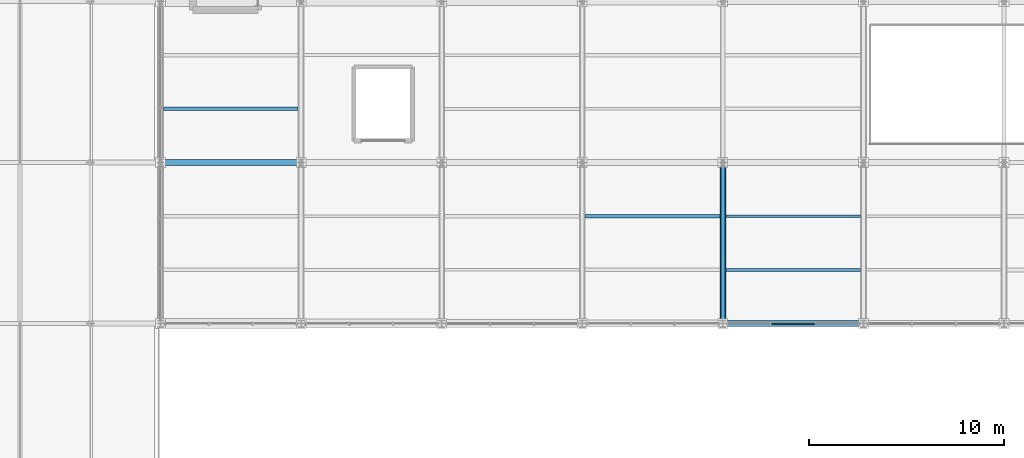
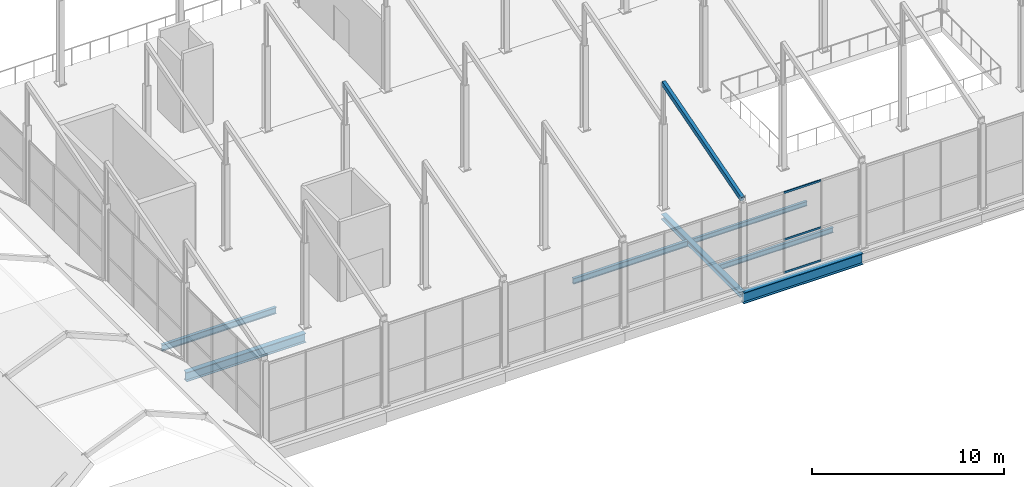
# One storey, part 26 of 141: 7 beams, 4 members, 1 element without a shape of its own.
"""IFC4 building model written with IfcOpenShell, lengths in metres."""

import ifcopenshell
import ifcopenshell.guid

model = None  # the IFC model being written
_history = None  # IfcOwnerHistory: only IFC2X3 demands one
_inside = {}  # id of a spatial element -> (the spatial element, [elements in it])
_under = {}  # id of a project, library or spatial element -> (it, [spatial elements below it])
_declared = {}  # id of a project -> (the project, [libraries it declares])
_typed = {}  # id of a type object -> (the type object, [elements of that type])
_made_of = {}  # id of a material, layer set ... -> (it, [elements and type objects made of it])


def new_model(schema):
    """Start an empty IFC model of exactly this schema.

    Asked for "IFC4X3", IfcOpenShell would pick the latest addendum, in which some entities
    have other attributes; the version numbers below select the first issue.
    IFC2X3 requires an IfcOwnerHistory on every rooted entity: one is made here for all.
    """
    global model, _history
    if schema == "IFC4X3":
        model = ifcopenshell.file(schema_version=(4, 3, 0, 0))
    else:
        model = ifcopenshell.file(schema=schema)
    _inside.clear()
    _under.clear()
    _declared.clear()
    _typed.clear()
    _made_of.clear()
    _history = None
    if model.schema == "IFC2X3":
        org = make("IfcOrganization", Name="unknown")
        user = make(
            "IfcPersonAndOrganization",
            ThePerson=make("IfcPerson", FamilyName="unknown"),
            TheOrganization=org,
        )
        app = make(
            "IfcApplication",
            ApplicationDeveloper=org,
            Version="unknown",
            ApplicationFullName="unknown",
            ApplicationIdentifier="unknown",
        )
        _history = make(
            "IfcOwnerHistory",
            OwningUser=user,
            OwningApplication=app,
            ChangeAction="ADDED",
            CreationDate=0,
        )
    return model


def make(cls, **values):
    """One entity of the class cls with the attributes given. An attribute that is None is left unset."""
    return model.create_entity(
        cls, **{name: value for name, value in values.items() if value is not None}
    )


def rooted(cls, **values):
    """An entity with a GlobalId (a new one), such as an element, a storey or a relation."""
    return make(cls, GlobalId=ifcopenshell.guid.new(), OwnerHistory=_history, **values)


def si_unit(unit_type, name, prefix=None):
    """IfcSIUnit, for example si_unit("LENGTHUNIT", "METRE", prefix="MILLI")."""
    return make("IfcSIUnit", UnitType=unit_type, Prefix=prefix, Name=name)


def assignment(units):
    """IfcUnitAssignment: the units of a project."""
    return None if units is None else make("IfcUnitAssignment", Units=units)


def point(xyz):
    """IfcCartesianPoint."""
    return None if xyz is None else make("IfcCartesianPoint", Coordinates=xyz)


def direction(xyz):
    """IfcDirection."""
    return None if xyz is None else make("IfcDirection", DirectionRatios=xyz)


def frame(location, z_axis=None, x_axis=None):
    """IfcAxis2Placement3D, a coordinate frame: its origin and axes. An axis left out is left unset."""
    return make(
        "IfcAxis2Placement3D",
        Location=point(location),
        Axis=direction(z_axis),
        RefDirection=direction(x_axis),
    )


def frame_2d(location, x_axis=None):
    """IfcAxis2Placement2D, a coordinate frame in the plane: its origin and x axis."""
    return make(
        "IfcAxis2Placement2D", Location=point(location), RefDirection=direction(x_axis)
    )


def origin():
    """The frame at (0, 0, 0) with its axes left unset."""
    return frame((0.0, 0.0, 0.0))


def origin_2d():
    """The frame at (0, 0) in the plane with its x axis left unset."""
    return frame_2d((0.0, 0.0))


def place(relative_to, where):
    """IfcLocalPlacement: puts the frame where relative to a parent placement (None: the world)."""
    return make(
        "IfcLocalPlacement", PlacementRelTo=relative_to, RelativePlacement=where
    )


def context(
    kind, dimensions, precision=None, world=None, true_north=None, identifier=None
):
    """IfcGeometricRepresentationContext, for example the 3D "Model" context."""
    return make(
        "IfcGeometricRepresentationContext",
        ContextIdentifier=identifier,
        ContextType=kind,
        CoordinateSpaceDimension=dimensions,
        Precision=precision,
        WorldCoordinateSystem=world,
        TrueNorth=true_north,
    )


def subcontext(parent, identifier, kind, view, scale=None):
    """IfcGeometricRepresentationSubContext, for example "Body" below "Model"."""
    return make(
        "IfcGeometricRepresentationSubContext",
        ContextIdentifier=identifier,
        ContextType=kind,
        ParentContext=parent,
        TargetScale=scale,
        TargetView=view,
    )


def project(units=None, contexts=None):
    """IfcProject with its units and contexts."""
    return rooted(
        "IfcProject",
        Name="project",
        RepresentationContexts=contexts,
        UnitsInContext=assignment(units),
    )


def spatial(cls, under=None, at=None, **own):
    """A site, building, storey or space (cls), placed at a placement, below another one or the project."""
    s = rooted(cls, ObjectPlacement=at, **own)
    if under is not None:
        _under.setdefault(under.id(), (under, []))[1].append(s)
    return s


def profile(cls, at=None, kind="AREA", **sizes):
    """A parametric profile (cls). Its sizes go by their IFC names, for example OverallWidth=200.0."""
    return make(cls, ProfileType=kind, Position=at, **sizes)


def hollow_rectangle(**sizes):
    """IfcRectangleHollowProfileDef."""
    return profile("IfcRectangleHollowProfileDef", **sizes)


def i_section(**sizes):
    """IfcIShapeProfileDef."""
    return profile("IfcIShapeProfileDef", **sizes)


def extrude(swept, where, along, depth):
    """IfcExtrudedAreaSolid: the profile swept, set in the frame where, extruded along a direction by depth."""
    return make(
        "IfcExtrudedAreaSolid",
        SweptArea=swept,
        Position=where,
        ExtrudedDirection=direction(along),
        Depth=depth,
    )


def shape(context_of_items, identifier, shape_type, items):
    """IfcShapeRepresentation: the items that make up one representation, for example the "Body"."""
    return make(
        "IfcShapeRepresentation",
        ContextOfItems=context_of_items,
        RepresentationIdentifier=identifier,
        RepresentationType=shape_type,
        Items=items,
    )


def material(Name=None, Category=None):
    """IfcMaterial."""
    return make("IfcMaterial", Name=Name, Category=Category)


def layer(
    of_material, thickness, ventilated=None, Name=None, Category=None, Priority=None
):
    """IfcMaterialLayer: one layer of a wall or slab, of a material (None: an air gap)."""
    return make(
        "IfcMaterialLayer",
        Material=of_material,
        LayerThickness=thickness,
        IsVentilated=ventilated,
        Name=Name,
        Category=Category,
        Priority=Priority,
    )


def layer_set(layers, Name=None):
    """IfcMaterialLayerSet."""
    return make("IfcMaterialLayerSet", MaterialLayers=layers, LayerSetName=Name)


def material_profile(
    of_material, cross_section, Name=None, Category=None, Priority=None
):
    """IfcMaterialProfile: a cross section and its material."""
    return make(
        "IfcMaterialProfile",
        Name=Name,
        Material=of_material,
        Profile=cross_section,
        Priority=Priority,
        Category=Category,
    )


def profile_set(profiles, Name=None, composite=None):
    """IfcMaterialProfileSet."""
    return make(
        "IfcMaterialProfileSet",
        Name=Name,
        MaterialProfiles=profiles,
        CompositeProfile=composite,
    )


def made_of(thing, what):
    """Note that an element or type object is made of a material, layer set ...; save() writes the relation."""
    if what is not None:
        _made_of.setdefault(what.id(), (what, []))[1].append(thing)
    return thing


def type_object(cls, material=None, **own):
    """A type object (cls), such as IfcWallType, which elements share."""
    return made_of(rooted(cls, **own), material)


def element(
    cls,
    number,
    at=None,
    inside=None,
    cuts=None,
    type_object=None,
    material=None,
    context=None,
    identifier="Body",
    shape_type=None,
    held_by="IfcProductDefinitionShape",
    body=None,
    shapes=None,
    **own,
):
    """One element of the class cls, such as IfcWall. Its Tag is "e" and its number.

    at: its placement. inside: the storey or other place that contains it. cuts: it is an
    opening in that element (IfcRelVoidsElement). A single representation is given by context,
    identifier, shape_type and body (its items); several are given by shapes. held_by: the class
    of the entity that holds the representations. save() writes the other relations.
    """
    e = rooted(cls, Tag="e%d" % number, ObjectPlacement=at, **own)
    if body is not None:
        shapes = [shape(context, identifier, shape_type, body)]
    if shapes is not None:
        e.Representation = make(held_by, Representations=shapes)
    if inside is not None:
        _inside.setdefault(inside.id(), (inside, []))[1].append(e)
    if cuts is not None:
        rooted(
            "IfcRelVoidsElement", RelatingBuildingElement=cuts, RelatedOpeningElement=e
        )
    if type_object is not None:
        _typed.setdefault(type_object.id(), (type_object, []))[1].append(e)
    return made_of(e, material)


def aggregate(whole, parts):
    """IfcRelAggregates: a whole, such as a stair, and the parts it consists of."""
    return rooted("IfcRelAggregates", RelatingObject=whole, RelatedObjects=parts)


def save(model, path):
    """Write the relations noted so far, then the file.

    IfcRelAggregates (storeys below a building ...), IfcRelContainedInSpatialStructure (elements
    in a storey), IfcRelDefinesByType, IfcRelAssociatesMaterial and IfcRelDeclares: one each for
    every whole, place, type object, material and project.
    """
    for whole, parts in _under.values():
        aggregate(whole, parts)
    for where, things in _inside.values():
        rooted(
            "IfcRelContainedInSpatialStructure",
            RelatedElements=things,
            RelatingStructure=where,
        )
    for kind, things in _typed.values():
        rooted("IfcRelDefinesByType", RelatedObjects=things, RelatingType=kind)
    for what, things in _made_of.values():
        rooted("IfcRelAssociatesMaterial", RelatedObjects=things, RelatingMaterial=what)
    for by, libraries in _declared.values():
        rooted("IfcRelDeclares", RelatingContext=by, RelatedDefinitions=libraries)
    model.write(path)


model = new_model("IFC4")

# Units and contexts
model_context = context("Model", 3, precision=1e-05, world=origin(), true_north=direction((0.0, 1.0)))
body_context = subcontext(model_context, "Body", "Model", "MODEL_VIEW")
ifc_project = project(units=[si_unit("LENGTHUNIT", "METRE"), si_unit("AREAUNIT", "SQUARE_METRE"), si_unit("VOLUMEUNIT", "CUBIC_METRE"), si_unit("PLANEANGLEUNIT", "RADIAN"), si_unit("MASSUNIT", "GRAM", prefix="KILO")], contexts=[model_context])

# Site, building, storey
site_placement = place(None, origin())
site = spatial("IfcSite", under=ifc_project, at=site_placement, CompositionType="ELEMENT")
building_placement = place(site_placement, origin())
building = spatial("IfcBuilding", under=site, at=building_placement, Name="Sundgate Opera House", CompositionType="ELEMENT")
storey_placement = place(building_placement, frame((0.0, 0.0, 11.39990234375)))
storey = spatial("IfcBuildingStorey", under=building, at=storey_placement, Name="L02", CompositionType="ELEMENT", Elevation=11.39990234375)

# Beams
ifc_material_1 = material(Name="Steel S355J2", Category="steel")
ifc_material_profile_1 = material_profile(ifc_material_1, i_section(OverallWidth=0.300048828125, OverallDepth=0.330078125, WebThickness=0.009521484375, FlangeThickness=0.0166015625, at=origin_2d()), Name="HEA 340")
ifc_profile_set_1 = profile_set([ifc_material_profile_1], Name="Steel S355J2")
beam_type_1 = type_object("IfcBeamType", Name="BM-GR-HEA340", PredefinedType="BEAM", material=ifc_profile_set_1)
beam_1_placement = place(storey_placement, frame((124.199951171875, 8.25, -0.514892578125), z_axis=(0.0, 1.0, 0.0), x_axis=(-1.0, 0.0, 0.0)))
element("IfcBeam", 1, at=beam_1_placement, inside=storey, type_object=beam_type_1, Name="L02 Primary N-S Girder B1892", PredefinedType="BEAM", context=body_context, shape_type="SweptSolid", body=[
    extrude(i_section(OverallWidth=0.300048828125, OverallDepth=0.330078125, WebThickness=0.009521484375, FlangeThickness=0.0166015625, at=origin_2d()), origin(), (0.0, 0.0, 1.0), 8.25),
])
ifc_material_2 = material(Name="Steel S355J2", Category="steel")
ifc_material_profile_2 = material_profile(ifc_material_2, i_section(OverallWidth=0.300048828125, OverallDepth=0.590087890625, WebThickness=0.012939453125, FlangeThickness=0.02490234375, at=origin_2d()), Name="HEA 600")
ifc_profile_set_2 = profile_set([ifc_material_profile_2], Name="Steel S355J2")
beam_type_2 = type_object("IfcBeamType", Name="BM-GR-HEA600", PredefinedType="BEAM", material=ifc_profile_set_2)
beam_2_placement = place(storey_placement, frame((95.39990234375, 16.5, -0.64501953125), z_axis=(1.0, 0.0, 0.0), x_axis=(0.0, 1.0, 0.0)))
element("IfcBeam", 2, at=beam_2_placement, inside=storey, type_object=beam_type_2, Name="L02 Primary E-W Girder B1975", PredefinedType="BEAM", context=body_context, shape_type="SweptSolid", body=[
    extrude(i_section(OverallWidth=0.300048828125, OverallDepth=0.590087890625, WebThickness=0.012939453125, FlangeThickness=0.02490234375, at=origin_2d()), origin(), (0.0, 0.0, 1.0), 7.2001953125),
])
ifc_material_3 = material(Name="Steel S355J2", Category="steel")
ifc_material_profile_3 = material_profile(ifc_material_3, i_section(OverallWidth=0.300048828125, OverallDepth=0.699951171875, WebThickness=0.01708984375, FlangeThickness=0.031982421875, at=origin_2d()), Name="HEB 700")
ifc_profile_set_3 = profile_set([ifc_material_profile_3], Name="Steel S355J2")
beam_type_3 = type_object("IfcBeamType", Name="BM-GR-HEB700", PredefinedType="BEAM", material=ifc_profile_set_3)
beam_3_placement = place(storey_placement, frame((124.199951171875, 8.25, -0.699951171875), z_axis=(1.0, 0.0, 0.0), x_axis=(0.0, 1.0, 0.0)))
element("IfcBeam", 3, at=beam_3_placement, inside=storey, type_object=beam_type_3, Name="L02 Primary E-W Girder B1967", PredefinedType="BEAM", context=body_context, shape_type="SweptSolid", body=[
    extrude(i_section(OverallWidth=0.300048828125, OverallDepth=0.699951171875, WebThickness=0.01708984375, FlangeThickness=0.031982421875, at=origin_2d()), origin(), (0.0, 0.0, 1.0), 7.199951171875),
])
ifc_material_4 = material(Name="Steel S355J2", Category="steel")
ifc_material_profile_4 = material_profile(ifc_material_4, i_section(OverallWidth=0.14990234375, OverallDepth=0.300048828125, WebThickness=0.007080078125, FlangeThickness=0.0107421875, at=origin_2d()), Name="IPE 300")
ifc_profile_set_4 = profile_set([ifc_material_profile_4], Name="Steel S355J2")
beam_type_4 = type_object("IfcBeamType", Name="BM-JS-IPE300", PredefinedType="JOIST", material=ifc_profile_set_4)
beam_4_placement = place(storey_placement, frame((124.35009765625, 13.75, -0.5), z_axis=(1.0, 0.0, 0.0), x_axis=(0.0, 1.0, 0.0)))
element("IfcBeam", 4, at=beam_4_placement, inside=storey, type_object=beam_type_4, Name="L02 Secondary Floor Joist B2154", PredefinedType="JOIST", context=body_context, shape_type="SweptSolid", body=[
    extrude(i_section(OverallWidth=0.14990234375, OverallDepth=0.300048828125, WebThickness=0.007080078125, FlangeThickness=0.0107421875, at=origin_2d()), origin(), (0.0, 0.0, 1.0), 6.89990234375),
])
ifc_material_5 = material(Name="Steel S355J2", Category="steel")
ifc_material_profile_5 = material_profile(ifc_material_5, i_section(OverallWidth=0.159912109375, OverallDepth=0.330078125, WebThickness=0.007568359375, FlangeThickness=0.011474609375, at=origin_2d()), Name="IPE 330")
ifc_profile_set_5 = profile_set([ifc_material_profile_5], Name="Steel S355J2")
beam_type_5 = type_object("IfcBeamType", Name="BM-JS-IPE330", PredefinedType="JOIST", material=ifc_profile_set_5)
beam_5_placement = place(storey_placement, frame((124.35009765625, 11.0, -0.514892578125), z_axis=(1.0, 0.0, 0.0), x_axis=(0.0, 1.0, 0.0)))
element("IfcBeam", 5, at=beam_5_placement, inside=storey, type_object=beam_type_5, Name="L02 Secondary Floor Joist B2153", PredefinedType="JOIST", context=body_context, shape_type="SweptSolid", body=[
    extrude(i_section(OverallWidth=0.159912109375, OverallDepth=0.330078125, WebThickness=0.007568359375, FlangeThickness=0.011474609375, at=origin_2d()), origin(), (0.0, 0.0, 1.0), 6.89990234375),
])
ifc_material_6 = material(Name="Steel S355J2", Category="steel")
ifc_material_profile_6 = material_profile(ifc_material_6, i_section(OverallWidth=0.169921875, OverallDepth=0.360107421875, WebThickness=0.008056640625, FlangeThickness=0.0126953125, at=origin_2d()), Name="IPE 360")
ifc_profile_set_6 = profile_set([ifc_material_profile_6], Name="Steel S355J2")
beam_type_6 = type_object("IfcBeamType", Name="BM-JS-IPE360", PredefinedType="JOIST", material=ifc_profile_set_6)
beam_6_placement = place(storey_placement, frame((117.14990234375, 13.75, -0.52978515625), z_axis=(1.0, 0.0, 0.0), x_axis=(0.0, 1.0, 0.0)))
element("IfcBeam", 6, at=beam_6_placement, inside=storey, type_object=beam_type_6, Name="L02 Secondary Floor Joist B2152", PredefinedType="JOIST", context=body_context, shape_type="SweptSolid", body=[
    extrude(i_section(OverallWidth=0.169921875, OverallDepth=0.360107421875, WebThickness=0.008056640625, FlangeThickness=0.0126953125, at=origin_2d()), origin(), (0.0, 0.0, 1.0), 6.900146484375),
])
ifc_material_7 = material(Name="Steel S355J2", Category="steel")
ifc_material_profile_7 = material_profile(ifc_material_7, i_section(OverallWidth=0.179931640625, OverallDepth=0.39990234375, WebThickness=0.008544921875, FlangeThickness=0.013427734375, at=origin_2d()), Name="IPE 400")
ifc_profile_set_7 = profile_set([ifc_material_profile_7], Name="Steel S355J2")
beam_type_7 = type_object("IfcBeamType", Name="BM-JS-IPE400", PredefinedType="JOIST", material=ifc_profile_set_7)
beam_7_placement = place(storey_placement, frame((95.550048828125, 19.25, -0.5498046875), z_axis=(1.0, 0.0, 0.0), x_axis=(0.0, 1.0, 0.0)))
element("IfcBeam", 7, at=beam_7_placement, inside=storey, type_object=beam_type_7, Name="L02 Secondary Floor Joist B2165", PredefinedType="JOIST", context=body_context, shape_type="SweptSolid", body=[
    extrude(i_section(OverallWidth=0.179931640625, OverallDepth=0.39990234375, WebThickness=0.008544921875, FlangeThickness=0.013427734375, at=origin_2d()), origin(), (0.0, 0.0, 1.0), 6.89990234375),
])

# Curtain wall, members
ifc_material_8 = material(Name="Anodized aluminium and low-iron glass", Category="aluminium")
ifc_layer = layer(ifc_material_8, 0.14990234375)
ifc_layer_set = layer_set([ifc_layer], Name="Anodized aluminium and low-iron glass")
curtain_wall_type = type_object("IfcCurtainWallType", Name="CW-WORKSHOP-DARK", PredefinedType="NOTDEFINED", material=ifc_layer_set)
curtain_wall_placement = place(storey_placement, origin())
curtain_wall = element("IfcCurtainWall", 8, at=curtain_wall_placement, inside=storey, type_object=curtain_wall_type, Name="L02 Curtain Wall CW158", PredefinedType="NOTDEFINED")
ifc_material_9 = material(Name="Anodized aluminium EN AW-6063", Category="aluminium")
ifc_material_profile_8 = material_profile(ifc_material_9, hollow_rectangle(XDim=0.054931640625, YDim=0.1201171875, WallThickness=0.00390625, at=origin_2d()), Name="CWT 120x55x4")
ifc_profile_set_8 = profile_set([ifc_material_profile_8], Name="Anodized aluminium EN AW-6063")
member_type_1 = type_object("IfcMemberType", Name="CWT-ALU-120x55", PredefinedType="USERDEFINED", material=ifc_profile_set_8)
member_1_placement = place(storey_placement, frame((128.925048828125, 8.25, 0.0), z_axis=(-1.0, 0.0, 0.0), x_axis=(0.0, -1.0, 0.0)))
member_1 = element("IfcMember", 9, at=member_1_placement, type_object=member_type_1, Name="CW158 Transom 4", ObjectType="TRANSOM", PredefinedType="USERDEFINED", context=body_context, shape_type="SweptSolid", body=[
    extrude(hollow_rectangle(XDim=0.054931640625, YDim=0.1201171875, WallThickness=0.00390625, at=origin_2d()), origin(), (0.0, 0.0, 1.0), 2.25),
])
member_2_placement = place(storey_placement, frame((128.925048828125, 8.25, 2.10009765625), z_axis=(-1.0, 0.0, 0.0), x_axis=(0.0, -1.0, 0.0)))
member_2 = element("IfcMember", 10, at=member_2_placement, type_object=member_type_1, Name="CW158 Transom 5", ObjectType="TRANSOM", PredefinedType="USERDEFINED", context=body_context, shape_type="SweptSolid", body=[
    extrude(hollow_rectangle(XDim=0.054931640625, YDim=0.1201171875, WallThickness=0.00390625, at=origin_2d()), origin(), (0.0, 0.0, 1.0), 2.25),
])
member_3_placement = place(storey_placement, frame((128.925048828125, 8.25, 5.085205078125), z_axis=(-1.0, 0.0, 0.0), x_axis=(0.0, -1.0, 0.0)))
member_3 = element("IfcMember", 11, at=member_3_placement, type_object=member_type_1, Name="CW158 Transom 6", ObjectType="TRANSOM", PredefinedType="USERDEFINED", context=body_context, shape_type="SweptSolid", body=[
    extrude(hollow_rectangle(XDim=0.054931640625, YDim=0.1201171875, WallThickness=0.00390625, at=origin_2d()), origin(), (0.0, 0.0, 1.0), 2.25),
])
aggregate(curtain_wall, [member_1, member_2, member_3])

# Member
ifc_material_10 = material(Name="Steel S355J2", Category="steel")
ifc_material_profile_9 = material_profile(ifc_material_10, hollow_rectangle(XDim=0.199951171875, YDim=0.300048828125, WallThickness=0.012451171875, at=origin_2d()), Name="RHS 300x200x12.5")
ifc_profile_set_9 = profile_set([ifc_material_profile_9], Name="Steel S355J2")
member_type_2 = type_object("IfcMemberType", Name="MB-CHORD-RHS300", PredefinedType="CHORD", material=ifc_profile_set_9)
member_4_placement = place(storey_placement, frame((124.199951171875, 8.25, 5.550048828125), z_axis=(0.0, 0.96019072379, 0.279345259398), x_axis=(-1.0, 0.0, 0.0)))
element("IfcMember", 12, at=member_4_placement, inside=storey, type_object=member_type_2, Name="L02 Sawtooth Rafter M0389", PredefinedType="CHORD", context=body_context, shape_type="SweptSolid", body=[
    extrude(hollow_rectangle(XDim=0.199951171875, YDim=0.300048828125, WallThickness=0.012451171875, at=origin_2d()), origin(), (0.0, 0.0, 1.0), 8.592041015625),
])

save(model, "model.ifc")
